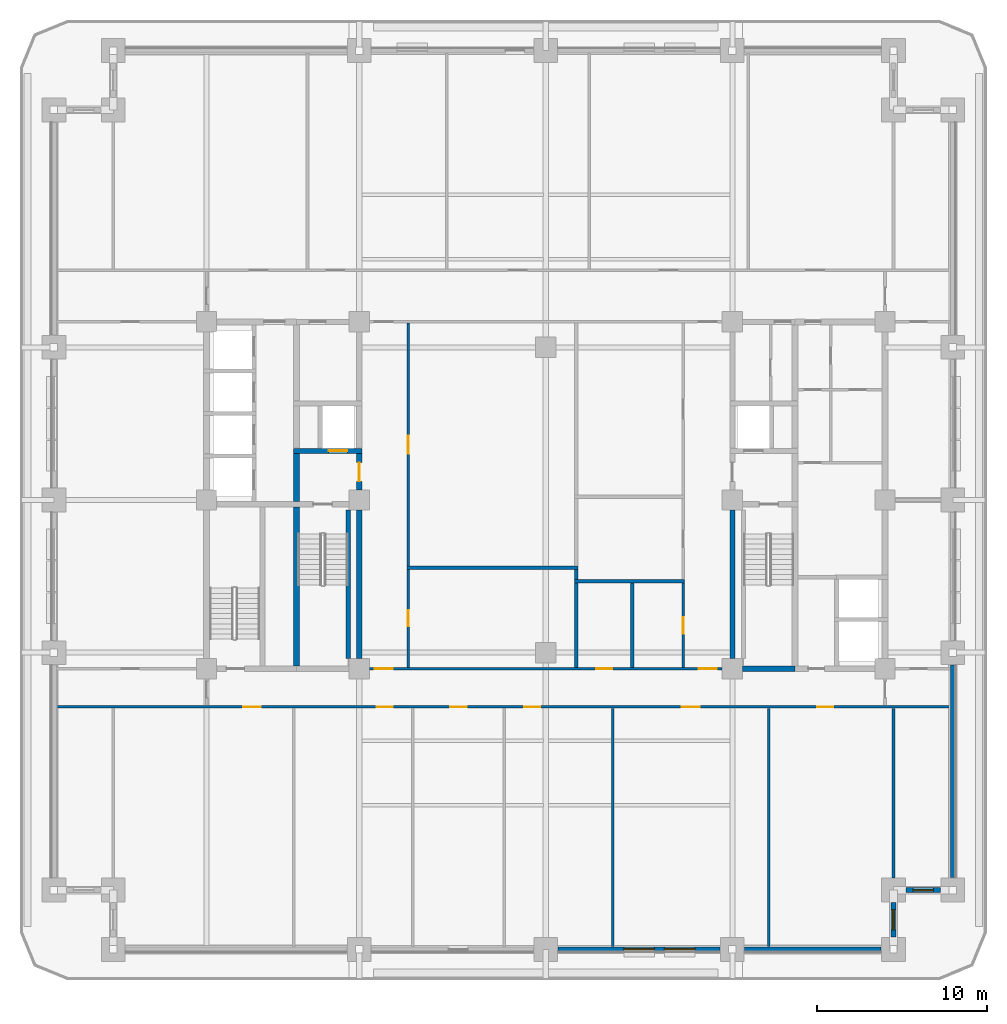
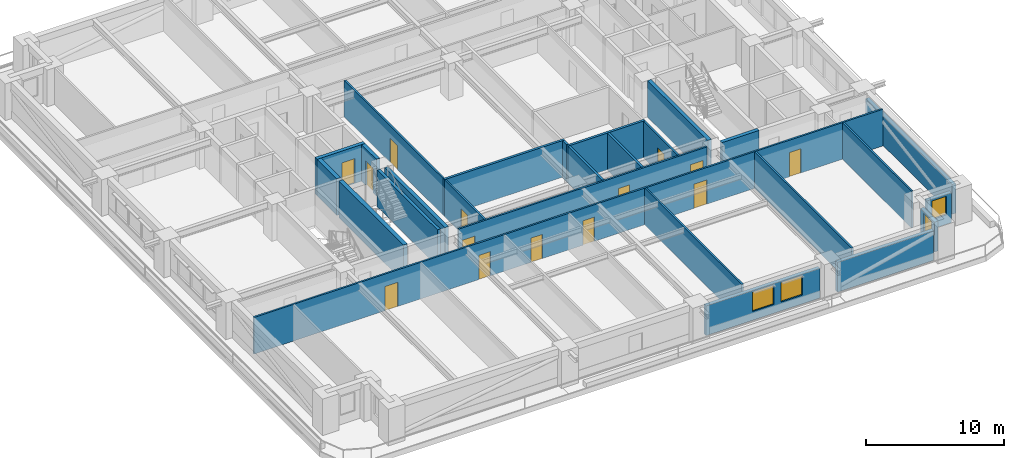
# One storey, part 3 of 16: 26 walls, 14 doors, 4 windows, 18 openings.
"""IFC4 building model written with IfcOpenShell, lengths in metres."""

from ifc_helpers import new_model, si_unit, direction, frame, frame_2d, origin, place, context, subcontext, project, spatial, rectangle, extrude, material, layer, layer_set, type_object, element, fill, save


model = new_model("IFC4")

# Units and contexts
model_context = context("Model", 3, precision=1e-05, world=origin(), true_north=direction((0.0, 1.0)))
body_context = subcontext(model_context, "Body", "Model", "MODEL_VIEW")
ifc_project = project(units=[si_unit("LENGTHUNIT", "METRE"), si_unit("AREAUNIT", "SQUARE_METRE"), si_unit("VOLUMEUNIT", "CUBIC_METRE"), si_unit("PLANEANGLEUNIT", "RADIAN"), si_unit("MASSUNIT", "GRAM", prefix="KILO")], contexts=[model_context])

# Site, building, storey
site_placement = place(None, origin())
site = spatial("IfcSite", under=ifc_project, at=site_placement, CompositionType="ELEMENT")
building_placement = place(site_placement, origin())
building = spatial("IfcBuilding", under=site, at=building_placement, Name="Zulmaris Gate Convention Tower", CompositionType="ELEMENT")
storey_placement = place(building_placement, frame((0.0, 0.0, 67.89990234375)))
storey = spatial("IfcBuildingStorey", under=building, at=storey_placement, Name="L16", CompositionType="ELEMENT", Elevation=67.89990234375)

# Walls
ifc_material_1 = material(Name="Concrete C50/60", Category="concrete")
ifc_layer_1 = layer(ifc_material_1, 0.25, Name="Concrete C50/60")
ifc_layer_set_1 = layer_set([ifc_layer_1], Name="Concrete C50/60")
wall_type_1 = type_object("IfcWallType", Name="CORE-250", PredefinedType="SOLIDWALL", material=ifc_layer_set_1)
wall_1_placement = place(storey_placement, frame((-11.64990234375, -9.345947265625, 0.0), z_axis=(0.0, 0.0, 1.0), x_axis=(0.0, 1.0, 0.0)))
element("IfcWall", 1, at=wall_1_placement, inside=storey, type_object=wall_type_1, Name="WL-L16-050", PredefinedType="SOLIDWALL", context=body_context, shape_type="SweptSolid", body=[
    extrude(rectangle(XDim=8.741943359375, YDim=0.25, at=frame_2d((4.37109375, 0.0))), origin(), (0.0, 0.0, 1.0), 3.2451171875),
])
ifc_layer_2 = layer(ifc_material_1, 0.300048828125, Name="Concrete C50/60")
ifc_layer_set_2 = layer_set([ifc_layer_2], Name="Concrete C50/60")
wall_type_2 = type_object("IfcWallType", Name="CORE-300", PredefinedType="SHEAR", material=ifc_layer_set_2)
wall_2_placement = place(storey_placement, frame((11.60400390625, -9.949951171875, 0.0), z_axis=(0.0, 0.0, 1.0), x_axis=(1.0, 0.0, 0.0)))
element("IfcWall", 2, at=wall_2_placement, inside=storey, type_object=wall_type_2, Name="WL-L16-003", PredefinedType="SHEAR", context=body_context, shape_type="SweptSolid", body=[
    extrude(rectangle(XDim=3.095947265625, YDim=0.300048828125, at=frame_2d((1.5478515625, 0.0))), origin(), (0.0, 0.0, 1.0), 3.2451171875),
])

# Wall, opening, door
wall_3_placement = place(storey_placement, frame((-14.875, 2.89990234375, 0.0), z_axis=(0.0, 0.0, 1.0), x_axis=(1.0, 0.0, 0.0)))
wall_3 = element("IfcWall", 3, at=wall_3_placement, inside=storey, type_object=wall_type_2, Name="WL-L16-010", PredefinedType="SHEAR", context=body_context, shape_type="SweptSolid", body=[
    extrude(rectangle(XDim=4.02490234375, YDim=0.300048828125, at=frame_2d((2.012451171875, 0.0))), origin(), (0.0, 0.0, 1.0), 3.2451171875),
])
opening_1_placement = place(wall_3_placement, frame((2.074951171875, 0.0, 0.0)))
opening_1 = element("IfcOpeningElement", 4, at=opening_1_placement, cuts=wall_3, Name="Opening D-06", PredefinedType="OPENING", context=body_context, shape_type="SweptSolid", body=[
    extrude(rectangle(XDim=1.10009765625, YDim=2.199951171875, at=frame_2d((0.550048828125, 1.10009765625))), frame((0.0, 0.16015625, 0.0), z_axis=(0.0, -1.0, 0.0), x_axis=(1.0, 0.0, 0.0)), (0.0, 0.0, 1.0), 0.320068359375),
])
ifc_material_2 = material(Name="Brushed Stainless Steel", Category="steel")
door_type_1 = type_object("IfcDoorType", Name="LD-1100", OperationType="NOTDEFINED", PredefinedType="DOOR", material=ifc_material_2)
door_1_placement = place(opening_1_placement, origin())
door_1 = element("IfcDoor", 5, at=door_1_placement, inside=storey, type_object=door_type_1, Name="L16 Lift Landing Door LF-01 03", OperationType="SLIDING_TO_LEFT", OverallHeight=2.199951171875, OverallWidth=1.10009765625, PredefinedType="DOOR", context=body_context, shape_type="SweptSolid", body=[
    extrude(rectangle(XDim=1.10009765625, YDim=2.199951171875, at=frame_2d((0.550048828125, 1.10009765625))), frame((0.0, 0.02490234375, 0.0), z_axis=(0.0, -1.0, 0.0), x_axis=(1.0, 0.0, 0.0)), (0.0, 0.0, 1.0), 0.050048828125),
])
fill(opening_1, door_1)

# Wall
wall_4_placement = place(storey_placement, frame((-11.0, -9.345947265625, 0.0), z_axis=(0.0, 0.0, 1.0), x_axis=(0.0, 1.0, 0.0)))
element("IfcWall", 6, at=wall_4_placement, inside=storey, type_object=wall_type_2, Name="WL-L16-051", PredefinedType="SHEAR", context=body_context, shape_type="SweptSolid", body=[
    extrude(rectangle(XDim=8.741943359375, YDim=0.300048828125, at=frame_2d((4.37109375, 0.0))), origin(), (0.0, 0.0, 1.0), 3.2451171875),
])

# Wall, opening, door
wall_5_placement = place(storey_placement, frame((-11.0, 0.60400390625, 0.0), z_axis=(0.0, 0.0, 1.0), x_axis=(0.0, 1.0, 0.0)))
wall_5 = element("IfcWall", 7, at=wall_5_placement, inside=storey, type_object=wall_type_2, Name="WL-L16-052", PredefinedType="SHEAR", context=body_context, shape_type="SweptSolid", body=[
    extrude(rectangle(XDim=2.14404296875, YDim=0.300048828125, at=frame_2d((1.072021484375, 0.0))), origin(), (0.0, 0.0, 1.0), 3.2451171875),
])
opening_2_placement = place(wall_5_placement, frame((0.49609375, 0.0, 0.0)))
opening_2 = element("IfcOpeningElement", 8, at=opening_2_placement, cuts=wall_5, Name="Opening D-08", PredefinedType="OPENING", context=body_context, shape_type="SweptSolid", body=[
    extrude(rectangle(XDim=1.10009765625, YDim=2.14990234375, at=frame_2d((0.550048828125, 1.074951171875))), frame((0.0, 0.16015625, 0.0), z_axis=(0.0, -1.0, 0.0), x_axis=(1.0, 0.0, 0.0)), (0.0, 0.0, 1.0), 0.320068359375),
])
ifc_material_3 = material(Name="Fire-Rated Steel", Category="steel")
door_type_2 = type_object("IfcDoorType", Name="DR-1100-FD", OperationType="NOTDEFINED", PredefinedType="DOOR", material=ifc_material_3)
door_2_placement = place(opening_2_placement, origin())
door_2 = element("IfcDoor", 9, at=door_2_placement, inside=storey, type_object=door_type_2, Name="L16 West Firefighting Lobby Door 02", OperationType="SINGLE_SWING_LEFT", OverallHeight=2.14990234375, OverallWidth=1.10009765625, PredefinedType="DOOR", context=body_context, shape_type="SweptSolid", body=[
    extrude(rectangle(XDim=1.10009765625, YDim=2.14990234375, at=frame_2d((0.550048828125, 1.074951171875))), frame((0.0, 0.02490234375, 0.0), z_axis=(0.0, -1.0, 0.0), x_axis=(1.0, 0.0, 0.0)), (0.0, 0.0, 1.0), 0.050048828125),
])
fill(opening_2, door_2)

# Walls
wall_6_placement = place(storey_placement, frame((11.0, -9.345947265625, 0.0), z_axis=(0.0, 0.0, 1.0), x_axis=(0.0, 1.0, 0.0)))
element("IfcWall", 10, at=wall_6_placement, inside=storey, type_object=wall_type_2, Name="WL-L16-055", PredefinedType="SHEAR", context=body_context, shape_type="SweptSolid", body=[
    extrude(rectangle(XDim=8.741943359375, YDim=0.300048828125, at=frame_2d((4.37109375, 0.0))), origin(), (0.0, 0.0, 1.0), 3.2451171875),
])
ifc_material_4 = material(Name="Concrete C55/67", Category="concrete")
ifc_layer_3 = layer(ifc_material_4, 0.35009765625, Name="Concrete C55/67")
ifc_layer_set_3 = layer_set([ifc_layer_3], Name="Concrete C55/67")
wall_type_3 = type_object("IfcWallType", Name="CORE-350", PredefinedType="SHEAR", material=ifc_layer_set_3)
wall_7_placement = place(storey_placement, frame((-14.699951171875, -9.77294921875, 0.0), z_axis=(0.0, 0.0, 1.0), x_axis=(0.0, 1.0, 0.0)))
element("IfcWall", 11, at=wall_7_placement, inside=storey, type_object=wall_type_3, Name="WL-L16-045", PredefinedType="SHEAR", context=body_context, shape_type="SweptSolid", body=[
    extrude(rectangle(XDim=9.370849609375, YDim=0.35009765625, at=frame_2d((4.685546875, 0.0))), origin(), (0.0, 0.0, 1.0), 3.2451171875),
])
wall_8_placement = place(storey_placement, frame((-14.699951171875, -0.097900390625, 0.0), z_axis=(0.0, 0.0, 1.0), x_axis=(0.0, 1.0, 0.0)))
element("IfcWall", 12, at=wall_8_placement, inside=storey, type_object=wall_type_3, Name="WL-L16-046", PredefinedType="SHEAR", context=body_context, shape_type="SweptSolid", body=[
    extrude(rectangle(XDim=2.845947265625, YDim=0.35009765625, at=frame_2d((1.4228515625, 0.0))), origin(), (0.0, 0.0, 1.0), 3.2451171875),
])

# Wall, openings, doors
ifc_material_5 = material(Name="Gypsum Metal Stud Partition")
ifc_layer_4 = layer(ifc_material_5, 0.14990234375, Name="Gypsum Metal Stud Partition")
ifc_layer_set_4 = layer_set([ifc_layer_4], Name="Gypsum Metal Stud Partition")
wall_type_4 = type_object("IfcWallType", Name="PART-150", PredefinedType="PARTITIONING", material=ifc_layer_set_4)
wall_9_placement = place(storey_placement, frame((-28.8349609375, -12.199951171875, 0.0), z_axis=(0.0, 0.0, 1.0), x_axis=(1.0, 0.0, 0.0)))
wall_9 = element("IfcWall", 13, at=wall_9_placement, inside=storey, type_object=wall_type_4, Name="WL-L16-020", PredefinedType="PARTITIONING", context=body_context, shape_type="SweptSolid", body=[
    extrude(rectangle(XDim=52.669921875, YDim=0.14990234375, at=frame_2d((26.3349609375, 0.0))), origin(), (0.0, 0.0, 1.0), 3.2451171875),
])
opening_3_placement = place(wall_9_placement, frame((10.989990234375, 0.0, 0.0)))
opening_3 = element("IfcOpeningElement", 14, at=opening_3_placement, cuts=wall_9, Name="Opening D-09", PredefinedType="OPENING", context=body_context, shape_type="SweptSolid", body=[
    extrude(rectangle(XDim=1.050048828125, YDim=2.14990234375, at=frame_2d((0.52490234375, 1.074951171875))), frame((0.0, 0.0849609375, 0.0), z_axis=(0.0, -1.0, 0.0), x_axis=(1.0, 0.0, 0.0)), (0.0, 0.0, 1.0), 0.169921875),
])
opening_4_placement = place(wall_9_placement, frame((18.860107421875, 0.0, 0.0)))
opening_4 = element("IfcOpeningElement", 15, at=opening_4_placement, cuts=wall_9, Name="Opening D-11", PredefinedType="OPENING", context=body_context, shape_type="SweptSolid", body=[
    extrude(rectangle(XDim=0.949951171875, YDim=2.14990234375, at=frame_2d((0.47509765625, 1.074951171875))), frame((0.0, 0.0849609375, 0.0), z_axis=(0.0, -1.0, 0.0), x_axis=(1.0, 0.0, 0.0)), (0.0, 0.0, 1.0), 0.169921875),
])
opening_5_placement = place(wall_9_placement, frame((23.2099609375, 0.0, 0.0)))
opening_5 = element("IfcOpeningElement", 16, at=opening_5_placement, cuts=wall_9, Name="Opening D-11", PredefinedType="OPENING", context=body_context, shape_type="SweptSolid", body=[
    extrude(rectangle(XDim=0.949951171875, YDim=2.14990234375, at=frame_2d((0.47509765625, 1.074951171875))), frame((0.0, 0.0849609375, 0.0), z_axis=(0.0, -1.0, 0.0), x_axis=(1.0, 0.0, 0.0)), (0.0, 0.0, 1.0), 0.169921875),
])
opening_6_placement = place(wall_9_placement, frame((27.56005859375, 0.0, 0.0)))
opening_6 = element("IfcOpeningElement", 17, at=opening_6_placement, cuts=wall_9, Name="Opening D-11", PredefinedType="OPENING", context=body_context, shape_type="SweptSolid", body=[
    extrude(rectangle(XDim=0.949951171875, YDim=2.14990234375, at=frame_2d((0.47509765625, 1.074951171875))), frame((0.0, 0.0849609375, 0.0), z_axis=(0.0, -1.0, 0.0), x_axis=(1.0, 0.0, 0.0)), (0.0, 0.0, 1.0), 0.169921875),
])
opening_7_placement = place(wall_9_placement, frame((36.860107421875, 0.0, 0.0)))
opening_7 = element("IfcOpeningElement", 18, at=opening_7_placement, cuts=wall_9, Name="Opening D-09", PredefinedType="OPENING", context=body_context, shape_type="SweptSolid", body=[
    extrude(rectangle(XDim=1.050048828125, YDim=2.14990234375, at=frame_2d((0.52490234375, 1.074951171875))), frame((0.0, 0.0849609375, 0.0), z_axis=(0.0, -1.0, 0.0), x_axis=(1.0, 0.0, 0.0)), (0.0, 0.0, 1.0), 0.169921875),
])
opening_8_placement = place(wall_9_placement, frame((44.840087890625, 0.0, 0.0)))
opening_8 = element("IfcOpeningElement", 19, at=opening_8_placement, cuts=wall_9, Name="Opening D-11", PredefinedType="OPENING", context=body_context, shape_type="SweptSolid", body=[
    extrude(rectangle(XDim=0.949951171875, YDim=2.14990234375, at=frame_2d((0.47509765625, 1.074951171875))), frame((0.0, 0.0849609375, 0.0), z_axis=(0.0, -1.0, 0.0), x_axis=(1.0, 0.0, 0.0)), (0.0, 0.0, 1.0), 0.169921875),
])
door_type_3 = type_object("IfcDoorType", Name="DR-1050-FD", OperationType="NOTDEFINED", PredefinedType="DOOR", material=ifc_material_3)
door_3_placement = place(opening_3_placement, origin())
door_3 = element("IfcDoor", 20, at=door_3_placement, inside=storey, type_object=door_type_3, Name="L16 Research Reading Room Door 31", OperationType="SINGLE_SWING_RIGHT", OverallHeight=2.14990234375, OverallWidth=1.050048828125, PredefinedType="DOOR", context=body_context, shape_type="SweptSolid", body=[
    extrude(rectangle(XDim=1.050048828125, YDim=2.14990234375, at=frame_2d((0.52490234375, 1.074951171875))), frame((0.0, 0.02490234375, 0.0), z_axis=(0.0, -1.0, 0.0), x_axis=(1.0, 0.0, 0.0)), (0.0, 0.0, 1.0), 0.050048828125),
])
fill(opening_3, door_3)
door_4_placement = place(opening_7_placement, origin())
door_4 = element("IfcDoor", 21, at=door_4_placement, inside=storey, type_object=door_type_3, Name="L16 Research Reading Room Door 35", OperationType="SINGLE_SWING_RIGHT", OverallHeight=2.14990234375, OverallWidth=1.050048828125, PredefinedType="DOOR", context=body_context, shape_type="SweptSolid", body=[
    extrude(rectangle(XDim=1.050048828125, YDim=2.14990234375, at=frame_2d((0.52490234375, 1.074951171875))), frame((0.0, 0.02490234375, 0.0), z_axis=(0.0, -1.0, 0.0), x_axis=(1.0, 0.0, 0.0)), (0.0, 0.0, 1.0), 0.050048828125),
])
fill(opening_7, door_4)
ifc_material_6 = material(Name="Fire-Rated Timber", Category="wood")
door_type_4 = type_object("IfcDoorType", Name="DR-950-FD", OperationType="NOTDEFINED", PredefinedType="DOOR", material=ifc_material_6)
door_5_placement = place(opening_4_placement, origin())
door_5 = element("IfcDoor", 22, at=door_5_placement, inside=storey, type_object=door_type_4, Name="L16 Quiet Focus Study Door 32", OperationType="SINGLE_SWING_LEFT", OverallHeight=2.14990234375, OverallWidth=0.949951171875, PredefinedType="DOOR", context=body_context, shape_type="SweptSolid", body=[
    extrude(rectangle(XDim=0.949951171875, YDim=2.14990234375, at=frame_2d((0.47509765625, 1.074951171875))), frame((0.0, 0.02490234375, 0.0), z_axis=(0.0, -1.0, 0.0), x_axis=(1.0, 0.0, 0.0)), (0.0, 0.0, 1.0), 0.050048828125),
])
fill(opening_4, door_5)
door_6_placement = place(opening_5_placement, origin())
door_6 = element("IfcDoor", 23, at=door_6_placement, inside=storey, type_object=door_type_4, Name="L16 Legal Library Room Door 33", OperationType="SINGLE_SWING_RIGHT", OverallHeight=2.14990234375, OverallWidth=0.949951171875, PredefinedType="DOOR", context=body_context, shape_type="SweptSolid", body=[
    extrude(rectangle(XDim=0.949951171875, YDim=2.14990234375, at=frame_2d((0.47509765625, 1.074951171875))), frame((0.0, 0.02490234375, 0.0), z_axis=(0.0, -1.0, 0.0), x_axis=(1.0, 0.0, 0.0)), (0.0, 0.0, 1.0), 0.050048828125),
])
fill(opening_5, door_6)
door_7_placement = place(opening_6_placement, origin())
door_7 = element("IfcDoor", 24, at=door_7_placement, inside=storey, type_object=door_type_4, Name="L16 Editorial Focus Suite Door 34", OperationType="SINGLE_SWING_LEFT", OverallHeight=2.14990234375, OverallWidth=0.949951171875, PredefinedType="DOOR", context=body_context, shape_type="SweptSolid", body=[
    extrude(rectangle(XDim=0.949951171875, YDim=2.14990234375, at=frame_2d((0.47509765625, 1.074951171875))), frame((0.0, 0.02490234375, 0.0), z_axis=(0.0, -1.0, 0.0), x_axis=(1.0, 0.0, 0.0)), (0.0, 0.0, 1.0), 0.050048828125),
])
fill(opening_6, door_7)
door_8_placement = place(opening_8_placement, origin())
door_8 = element("IfcDoor", 25, at=door_8_placement, inside=storey, type_object=door_type_4, Name="L16 Quiet Focus Study Door 36", OperationType="SINGLE_SWING_LEFT", OverallHeight=2.14990234375, OverallWidth=0.949951171875, PredefinedType="DOOR", context=body_context, shape_type="SweptSolid", body=[
    extrude(rectangle(XDim=0.949951171875, YDim=2.14990234375, at=frame_2d((0.47509765625, 1.074951171875))), frame((0.0, 0.02490234375, 0.0), z_axis=(0.0, -1.0, 0.0), x_axis=(1.0, 0.0, 0.0)), (0.0, 0.0, 1.0), 0.050048828125),
])
fill(opening_8, door_8)

wall_10_placement = place(storey_placement, frame((-10.39404296875, -9.949951171875, 0.0), z_axis=(0.0, 0.0, 1.0), x_axis=(1.0, 0.0, 0.0)))
wall_10 = element("IfcWall", 26, at=wall_10_placement, inside=storey, type_object=wall_type_4, Name="WL-L16-022", PredefinedType="PARTITIONING", context=body_context, shape_type="SweptSolid", body=[
    extrude(rectangle(XDim=20.7880859375, YDim=0.14990234375, at=frame_2d((10.39404296875, 0.0))), origin(), (0.0, 0.0, 1.0), 3.2451171875),
])
opening_9_placement = place(wall_10_placement, frame((0.319091796875, 0.0, 0.0)))
opening_9 = element("IfcOpeningElement", 27, at=opening_9_placement, cuts=wall_10, Name="Opening D-09", PredefinedType="OPENING", context=body_context, shape_type="SweptSolid", body=[
    extrude(rectangle(XDim=1.050048828125, YDim=2.14990234375, at=frame_2d((0.52490234375, 1.074951171875))), frame((0.0, 0.0849609375, 0.0), z_axis=(0.0, -1.0, 0.0), x_axis=(1.0, 0.0, 0.0)), (0.0, 0.0, 1.0), 0.169921875),
])
opening_10_placement = place(wall_10_placement, frame((19.4189453125, 0.0, 0.0)))
opening_10 = element("IfcOpeningElement", 28, at=opening_10_placement, cuts=wall_10, Name="Opening D-09", PredefinedType="OPENING", context=body_context, shape_type="SweptSolid", body=[
    extrude(rectangle(XDim=1.050048828125, YDim=2.14990234375, at=frame_2d((0.52490234375, 1.074951171875))), frame((0.0, 0.0849609375, 0.0), z_axis=(0.0, -1.0, 0.0), x_axis=(1.0, 0.0, 0.0)), (0.0, 0.0, 1.0), 0.169921875),
])
opening_11_placement = place(wall_10_placement, frame((13.368896484375, 0.0, 0.0)))
opening_11 = element("IfcOpeningElement", 29, at=opening_11_placement, cuts=wall_10, Name="Opening D-11", PredefinedType="OPENING", context=body_context, shape_type="SweptSolid", body=[
    extrude(rectangle(XDim=0.949951171875, YDim=2.14990234375, at=frame_2d((0.47509765625, 1.074951171875))), frame((0.0, 0.0849609375, 0.0), z_axis=(0.0, -1.0, 0.0), x_axis=(1.0, 0.0, 0.0)), (0.0, 0.0, 1.0), 0.169921875),
])
door_9_placement = place(opening_9_placement, origin())
door_9 = element("IfcDoor", 30, at=door_9_placement, inside=storey, type_object=door_type_3, Name="L16 SW Spine Link Door 23", OperationType="SINGLE_SWING_RIGHT", OverallHeight=2.14990234375, OverallWidth=1.050048828125, PredefinedType="DOOR", context=body_context, shape_type="SweptSolid", body=[
    extrude(rectangle(XDim=1.050048828125, YDim=2.14990234375, at=frame_2d((0.52490234375, 1.074951171875))), frame((0.0, 0.02490234375, 0.0), z_axis=(0.0, -1.0, 0.0), x_axis=(1.0, 0.0, 0.0)), (0.0, 0.0, 1.0), 0.050048828125),
])
fill(opening_9, door_9)
door_10_placement = place(opening_10_placement, origin())
door_10 = element("IfcDoor", 31, at=door_10_placement, inside=storey, type_object=door_type_3, Name="L16 SE Spine Link Door 25", OperationType="SINGLE_SWING_RIGHT", OverallHeight=2.14990234375, OverallWidth=1.050048828125, PredefinedType="DOOR", context=body_context, shape_type="SweptSolid", body=[
    extrude(rectangle(XDim=1.050048828125, YDim=2.14990234375, at=frame_2d((0.52490234375, 1.074951171875))), frame((0.0, 0.02490234375, 0.0), z_axis=(0.0, -1.0, 0.0), x_axis=(1.0, 0.0, 0.0)), (0.0, 0.0, 1.0), 0.050048828125),
])
fill(opening_10, door_10)
door_11_placement = place(opening_11_placement, origin())
door_11 = element("IfcDoor", 32, at=door_11_placement, inside=storey, type_object=door_type_4, Name="L16 Print Room Door 42", OperationType="SINGLE_SWING_LEFT", OverallHeight=2.14990234375, OverallWidth=0.949951171875, PredefinedType="DOOR", context=body_context, shape_type="SweptSolid", body=[
    extrude(rectangle(XDim=0.949951171875, YDim=2.14990234375, at=frame_2d((0.47509765625, 1.074951171875))), frame((0.0, 0.02490234375, 0.0), z_axis=(0.0, -1.0, 0.0), x_axis=(1.0, 0.0, 0.0)), (0.0, 0.0, 1.0), 0.050048828125),
])
fill(opening_11, door_11)

# Wall, opening, door
wall_11_placement = place(storey_placement, frame((-8.10009765625, -9.8720703125, 0.0), z_axis=(0.0, 0.0, 1.0), x_axis=(0.0, 1.0, 0.0)))
wall_11 = element("IfcWall", 33, at=wall_11_placement, inside=storey, type_object=wall_type_4, Name="WL-L16-076", PredefinedType="PARTITIONING", context=body_context, shape_type="SweptSolid", body=[
    extrude(rectangle(XDim=5.76904296875, YDim=0.14990234375, at=frame_2d((2.884521484375, 0.0))), origin(), (0.0, 0.0, 1.0), 3.2451171875),
])
opening_12_placement = place(wall_11_placement, frame((2.427001953125, 0.0, 0.0)))
opening_12 = element("IfcOpeningElement", 34, at=opening_12_placement, cuts=wall_11, Name="Opening D-11", PredefinedType="OPENING", context=body_context, shape_type="SweptSolid", body=[
    extrude(rectangle(XDim=0.949951171875, YDim=2.14990234375, at=frame_2d((0.47509765625, 1.074951171875))), frame((0.0, 0.0849609375, 0.0), z_axis=(0.0, -1.0, 0.0), x_axis=(1.0, 0.0, 0.0)), (0.0, 0.0, 1.0), 0.169921875),
])
door_12_placement = place(opening_12_placement, origin())
door_12 = element("IfcDoor", 35, at=door_12_placement, inside=storey, type_object=door_type_4, Name="L16 Wellness Pantry Door 38", OperationType="SINGLE_SWING_LEFT", OverallHeight=2.14990234375, OverallWidth=0.949951171875, PredefinedType="DOOR", context=body_context, shape_type="SweptSolid", body=[
    extrude(rectangle(XDim=0.949951171875, YDim=2.14990234375, at=frame_2d((0.47509765625, 1.074951171875))), frame((0.0, 0.02490234375, 0.0), z_axis=(0.0, -1.0, 0.0), x_axis=(1.0, 0.0, 0.0)), (0.0, 0.0, 1.0), 0.050048828125),
])
fill(opening_12, door_12)

wall_12_placement = place(storey_placement, frame((-8.10009765625, -3.89697265625, 0.0), z_axis=(0.0, 0.0, 1.0), x_axis=(0.0, 1.0, 0.0)))
wall_12 = element("IfcWall", 36, at=wall_12_placement, inside=storey, type_object=wall_type_4, Name="WL-L16-077", PredefinedType="PARTITIONING", context=body_context, shape_type="SweptSolid", body=[
    extrude(rectangle(XDim=14.319091796875, YDim=0.14990234375, at=frame_2d((7.15966796875, 0.0))), origin(), (0.0, 0.0, 1.0), 3.2451171875),
])
opening_13_placement = place(wall_12_placement, frame((6.6220703125, 0.0, 0.0)))
opening_13 = element("IfcOpeningElement", 37, at=opening_13_placement, cuts=wall_12, Name="Opening D-09", PredefinedType="OPENING", context=body_context, shape_type="SweptSolid", body=[
    extrude(rectangle(XDim=1.050048828125, YDim=2.14990234375, at=frame_2d((0.52490234375, 1.074951171875))), frame((0.0, 0.0849609375, 0.0), z_axis=(0.0, -1.0, 0.0), x_axis=(1.0, 0.0, 0.0)), (0.0, 0.0, 1.0), 0.169921875),
])
door_13_placement = place(opening_13_placement, origin())
door_13 = element("IfcDoor", 38, at=door_13_placement, inside=storey, type_object=door_type_3, Name="L16 Boardroom Door 37", OperationType="SINGLE_SWING_RIGHT", OverallHeight=2.14990234375, OverallWidth=1.050048828125, PredefinedType="DOOR", context=body_context, shape_type="SweptSolid", body=[
    extrude(rectangle(XDim=1.050048828125, YDim=2.14990234375, at=frame_2d((0.52490234375, 1.074951171875))), frame((0.0, 0.02490234375, 0.0), z_axis=(0.0, -1.0, 0.0), x_axis=(1.0, 0.0, 0.0)), (0.0, 0.0, 1.0), 0.050048828125),
])
fill(opening_13, door_13)

# Wall
wall_13_placement = place(storey_placement, frame((3.949951171875, -26.3349609375, 0.0), z_axis=(0.0, 0.0, 1.0), x_axis=(0.0, 1.0, 0.0)))
element("IfcWall", 39, at=wall_13_placement, inside=storey, type_object=wall_type_4, Name="WL-L16-086", PredefinedType="PARTITIONING", context=body_context, shape_type="SweptSolid", body=[
    extrude(rectangle(XDim=14.056884765625, YDim=0.14990234375, at=frame_2d((7.0283203125, 0.0))), origin(), (0.0, 0.0, 1.0), 3.2451171875),
])

# Wall, opening, door
wall_14_placement = place(storey_placement, frame((8.10009765625, -9.8720703125, 0.0), z_axis=(0.0, 0.0, 1.0), x_axis=(0.0, 1.0, 0.0)))
wall_14 = element("IfcWall", 40, at=wall_14_placement, inside=storey, type_object=wall_type_4, Name="WL-L16-088", PredefinedType="PARTITIONING", context=body_context, shape_type="SweptSolid", body=[
    extrude(rectangle(XDim=4.968994140625, YDim=0.14990234375, at=frame_2d((2.484375, 0.0))), origin(), (0.0, 0.0, 1.0), 3.2451171875),
])
opening_14_placement = place(wall_14_placement, frame((1.9970703125, 0.0, 0.0)))
opening_14 = element("IfcOpeningElement", 41, at=opening_14_placement, cuts=wall_14, Name="Opening D-11", PredefinedType="OPENING", context=body_context, shape_type="SweptSolid", body=[
    extrude(rectangle(XDim=0.949951171875, YDim=2.14990234375, at=frame_2d((0.47509765625, 1.074951171875))), frame((0.0, 0.0849609375, 0.0), z_axis=(0.0, -1.0, 0.0), x_axis=(1.0, 0.0, 0.0)), (0.0, 0.0, 1.0), 0.169921875),
])
door_14_placement = place(opening_14_placement, origin())
door_14 = element("IfcDoor", 42, at=door_14_placement, inside=storey, type_object=door_type_4, Name="L16 Accessible WC Door 41", OperationType="SINGLE_SWING_RIGHT", OverallHeight=2.14990234375, OverallWidth=0.949951171875, PredefinedType="DOOR", context=body_context, shape_type="SweptSolid", body=[
    extrude(rectangle(XDim=0.949951171875, YDim=2.14990234375, at=frame_2d((0.47509765625, 1.074951171875))), frame((0.0, 0.02490234375, 0.0), z_axis=(0.0, -1.0, 0.0), x_axis=(1.0, 0.0, 0.0)), (0.0, 0.0, 1.0), 0.050048828125),
])
fill(opening_14, door_14)

# Walls
wall_15_placement = place(storey_placement, frame((13.14990234375, -26.3349609375, 0.0), z_axis=(0.0, 0.0, 1.0), x_axis=(0.0, 1.0, 0.0)))
element("IfcWall", 43, at=wall_15_placement, inside=storey, type_object=wall_type_4, Name="WL-L16-092", PredefinedType="PARTITIONING", context=body_context, shape_type="SweptSolid", body=[
    extrude(rectangle(XDim=14.056884765625, YDim=0.14990234375, at=frame_2d((7.0283203125, 0.0))), origin(), (0.0, 0.0, 1.0), 3.2451171875),
])
wall_16_placement = place(storey_placement, frame((20.5, -22.2939453125, 0.0), z_axis=(0.0, 0.0, 1.0), x_axis=(0.0, 1.0, 0.0)))
element("IfcWall", 44, at=wall_16_placement, inside=storey, type_object=wall_type_4, Name="WL-L16-098", PredefinedType="PARTITIONING", context=body_context, shape_type="SweptSolid", body=[
    extrude(rectangle(XDim=10.015869140625, YDim=0.14990234375, at=frame_2d((5.0078125, 0.0))), origin(), (0.0, 0.0, 1.0), 3.2451171875),
])
ifc_material_7 = material(Name="Autoclaved Aerated Concrete Block and Plasterboard", Category="concrete")
ifc_layer_5 = layer(ifc_material_7, 0.199951171875, Name="Autoclaved Aerated Concrete Block and Plasterboard")
ifc_layer_set_5 = layer_set([ifc_layer_5], Name="Autoclaved Aerated Concrete Block and Plasterboard")
wall_type_5 = type_object("IfcWallType", Name="PART-200", PredefinedType="PARTITIONING", material=ifc_layer_set_5)
wall_17_placement = place(storey_placement, frame((1.699951171875, -4.800048828125, 0.0), z_axis=(0.0, 0.0, 1.0), x_axis=(1.0, 0.0, 0.0)))
element("IfcWall", 45, at=wall_17_placement, inside=storey, type_object=wall_type_5, Name="WL-L16-024", PredefinedType="PARTITIONING", context=body_context, shape_type="SweptSolid", body=[
    extrude(rectangle(XDim=6.47509765625, YDim=0.199951171875, at=frame_2d((3.237548828125, 0.0))), origin(), (0.0, 0.0, 1.0), 3.2451171875),
])
wall_18_placement = place(storey_placement, frame((-8.175048828125, -4.0, 0.0), z_axis=(0.0, 0.0, 1.0), x_axis=(1.0, 0.0, 0.0)))
element("IfcWall", 46, at=wall_18_placement, inside=storey, type_object=wall_type_5, Name="WL-L16-026", PredefinedType="PARTITIONING", context=body_context, shape_type="SweptSolid", body=[
    extrude(rectangle(XDim=10.074951171875, YDim=0.199951171875, at=frame_2d((5.03759765625, 0.0))), origin(), (0.0, 0.0, 1.0), 3.2451171875),
])
wall_19_placement = place(storey_placement, frame((1.800048828125, -9.8720703125, 0.0), z_axis=(0.0, 0.0, 1.0), x_axis=(0.0, 1.0, 0.0)))
element("IfcWall", 47, at=wall_19_placement, inside=storey, type_object=wall_type_5, Name="WL-L16-081", PredefinedType="PARTITIONING", context=body_context, shape_type="SweptSolid", body=[
    extrude(rectangle(XDim=4.968994140625, YDim=0.199951171875, at=frame_2d((2.484375, 0.0))), origin(), (0.0, 0.0, 1.0), 3.2451171875),
])
wall_20_placement = place(storey_placement, frame((1.800048828125, -4.697021484375, 0.0), z_axis=(0.0, 0.0, 1.0), x_axis=(0.0, 1.0, 0.0)))
element("IfcWall", 48, at=wall_20_placement, inside=storey, type_object=wall_type_5, Name="WL-L16-082", PredefinedType="PARTITIONING", context=body_context, shape_type="SweptSolid", body=[
    extrude(rectangle(XDim=0.593994140625, YDim=0.199951171875, at=frame_2d((0.296875, 0.0))), origin(), (0.0, 0.0, 1.0), 3.2451171875),
])
wall_21_placement = place(storey_placement, frame((5.10009765625, -9.8720703125, 0.0), z_axis=(0.0, 0.0, 1.0), x_axis=(0.0, 1.0, 0.0)))
element("IfcWall", 49, at=wall_21_placement, inside=storey, type_object=wall_type_5, Name="WL-L16-087", PredefinedType="PARTITIONING", context=body_context, shape_type="SweptSolid", body=[
    extrude(rectangle(XDim=4.968994140625, YDim=0.199951171875, at=frame_2d((2.484375, 0.0))), origin(), (0.0, 0.0, 1.0), 3.2451171875),
])

# Wall, opening, window
ifc_material_8 = material(Name="Precast concrete C40/50", Category="concrete")
ifc_layer_6 = layer(ifc_material_8, 0.300048828125, Name="Precast concrete C40/50")
ifc_layer_set_6 = layer_set([ifc_layer_6], Name="Precast concrete C40/50")
wall_type_6 = type_object("IfcWallType", Name="PRECAST-PIER-300", PredefinedType="STANDARD", material=ifc_layer_set_6)
wall_22_placement = place(storey_placement, frame((20.5, -25.77001953125, 0.0), z_axis=(0.0, 0.0, 1.0), x_axis=(0.0, 1.0, 0.0)))
wall_22 = element("IfcWall", 50, at=wall_22_placement, inside=storey, type_object=wall_type_6, Name="EW-L16-NOTCH-SE1_0", PredefinedType="STANDARD", context=body_context, shape_type="SweptSolid", body=[
    extrude(rectangle(XDim=2.0400390625, YDim=0.300048828125, at=frame_2d((1.02001953125, 0.0))), origin(), (0.0, 0.0, 1.0), 2.63720703125),
])
opening_15_placement = place(wall_22_placement, frame((0.419921875, 0.0, 0.820068359375)))
opening_15 = element("IfcOpeningElement", 51, at=opening_15_placement, cuts=wall_22, Name="Opening W-04", PredefinedType="OPENING", context=body_context, shape_type="SweptSolid", body=[
    extrude(rectangle(XDim=1.199951171875, YDim=1.64990234375, at=frame_2d((0.60009765625, 0.824951171875))), frame((0.0, 0.16015625, 0.0), z_axis=(0.0, -1.0, 0.0), x_axis=(1.0, 0.0, 0.0)), (0.0, 0.0, 1.0), 0.320068359375),
])
ifc_material_9 = material(Name="Low-E Laminated Double Glazing in Aluminium Frame", Category="aluminium")
window_type_1 = type_object("IfcWindowType", Name="WIN-1200x2100", PartitioningType="SINGLE_PANEL", PredefinedType="WINDOW", material=ifc_material_9)
window_1_placement = place(opening_15_placement, origin())
window_1 = element("IfcWindow", 52, at=window_1_placement, inside=storey, type_object=window_type_1, Name="WN-EW-L16-NOTCH-SE1_0", OverallHeight=1.64990234375, OverallWidth=1.199951171875, PartitioningType="SINGLE_PANEL", PredefinedType="WINDOW", context=body_context, shape_type="SweptSolid", body=[
    extrude(rectangle(XDim=1.199951171875, YDim=1.64990234375, at=frame_2d((0.60009765625, 0.824951171875))), frame((0.0, 0.030029296875, 0.0), z_axis=(0.0, -1.0, 0.0), x_axis=(1.0, 0.0, 0.0)), (0.0, 0.0, 1.0), 0.06005859375),
])
fill(opening_15, window_1)

wall_23_placement = place(storey_placement, frame((21.22998046875, -23.0, 0.0), z_axis=(0.0, 0.0, 1.0), x_axis=(1.0, 0.0, 0.0)))
wall_23 = element("IfcWall", 53, at=wall_23_placement, inside=storey, type_object=wall_type_6, Name="EW-L16-NOTCH-SE2_0", PredefinedType="STANDARD", context=body_context, shape_type="SweptSolid", body=[
    extrude(rectangle(XDim=2.0400390625, YDim=0.300048828125, at=frame_2d((1.02001953125, 0.0))), origin(), (0.0, 0.0, 1.0), 2.63720703125),
])
opening_16_placement = place(wall_23_placement, frame((0.419921875, 0.0, 0.820068359375)))
opening_16 = element("IfcOpeningElement", 54, at=opening_16_placement, cuts=wall_23, Name="Opening W-04", PredefinedType="OPENING", context=body_context, shape_type="SweptSolid", body=[
    extrude(rectangle(XDim=1.199951171875, YDim=1.64990234375, at=frame_2d((0.60009765625, 0.824951171875))), frame((0.0, 0.16015625, 0.0), z_axis=(0.0, -1.0, 0.0), x_axis=(1.0, 0.0, 0.0)), (0.0, 0.0, 1.0), 0.320068359375),
])
window_2_placement = place(opening_16_placement, origin())
window_2 = element("IfcWindow", 55, at=window_2_placement, inside=storey, type_object=window_type_1, Name="WN-EW-L16-NOTCH-SE2_0", OverallHeight=1.64990234375, OverallWidth=1.199951171875, PartitioningType="SINGLE_PANEL", PredefinedType="WINDOW", context=body_context, shape_type="SweptSolid", body=[
    extrude(rectangle(XDim=1.199951171875, YDim=1.64990234375, at=frame_2d((0.60009765625, 0.824951171875))), frame((0.0, 0.030029296875, 0.0), z_axis=(0.0, -1.0, 0.0), x_axis=(1.0, 0.0, 0.0)), (0.0, 0.0, 1.0), 0.06005859375),
])
fill(opening_16, window_2)

# Wall, openings, windows
wall_24_placement = place(storey_placement, frame((0.72998046875, -26.5, 0.0), z_axis=(0.0, 0.0, 1.0), x_axis=(1.0, 0.0, 0.0)))
wall_24 = element("IfcWall", 56, at=wall_24_placement, inside=storey, type_object=wall_type_6, Name="EW-L16-S-2_0", PredefinedType="STANDARD", context=body_context, shape_type="SweptSolid", body=[
    extrude(rectangle(XDim=9.5400390625, YDim=0.300048828125, at=frame_2d((4.77001953125, 0.0))), origin(), (0.0, 0.0, 1.0), 2.63720703125),
])
opening_17_placement = place(wall_24_placement, frame((3.8701171875, 0.0, 0.780029296875)))
opening_17 = element("IfcOpeningElement", 57, at=opening_17_placement, cuts=wall_24, Name="Opening W-02", PredefinedType="OPENING", context=body_context, shape_type="SweptSolid", body=[
    extrude(rectangle(XDim=1.800048828125, YDim=1.719970703125, at=frame_2d((0.89990234375, 0.85986328125))), frame((0.0, 0.16015625, 0.0), z_axis=(0.0, -1.0, 0.0), x_axis=(1.0, 0.0, 0.0)), (0.0, 0.0, 1.0), 0.320068359375),
])
opening_18_placement = place(wall_24_placement, frame((6.2548828125, 0.0, 0.780029296875)))
opening_18 = element("IfcOpeningElement", 58, at=opening_18_placement, cuts=wall_24, Name="Opening W-02", PredefinedType="OPENING", context=body_context, shape_type="SweptSolid", body=[
    extrude(rectangle(XDim=1.800048828125, YDim=1.719970703125, at=frame_2d((0.89990234375, 0.85986328125))), frame((0.0, 0.16015625, 0.0), z_axis=(0.0, -1.0, 0.0), x_axis=(1.0, 0.0, 0.0)), (0.0, 0.0, 1.0), 0.320068359375),
])
window_type_2 = type_object("IfcWindowType", Name="WIN-1800x2200", PartitioningType="SINGLE_PANEL", PredefinedType="WINDOW", material=ifc_material_9)
window_3_placement = place(opening_17_placement, origin())
window_3 = element("IfcWindow", 59, at=window_3_placement, inside=storey, type_object=window_type_2, Name="WN-EW-L16-S-2_0-2", OverallHeight=1.719970703125, OverallWidth=1.800048828125, PartitioningType="SINGLE_PANEL", PredefinedType="WINDOW", context=body_context, shape_type="SweptSolid", body=[
    extrude(rectangle(XDim=1.800048828125, YDim=1.719970703125, at=frame_2d((0.89990234375, 0.85986328125))), frame((0.0, 0.030029296875, 0.0), z_axis=(0.0, -1.0, 0.0), x_axis=(1.0, 0.0, 0.0)), (0.0, 0.0, 1.0), 0.06005859375),
])
fill(opening_17, window_3)
window_4_placement = place(opening_18_placement, origin())
window_4 = element("IfcWindow", 60, at=window_4_placement, inside=storey, type_object=window_type_2, Name="WN-EW-L16-S-2_0-3", OverallHeight=1.719970703125, OverallWidth=1.800048828125, PartitioningType="SINGLE_PANEL", PredefinedType="WINDOW", context=body_context, shape_type="SweptSolid", body=[
    extrude(rectangle(XDim=1.800048828125, YDim=1.719970703125, at=frame_2d((0.89990234375, 0.85986328125))), frame((0.0, 0.030029296875, 0.0), z_axis=(0.0, -1.0, 0.0), x_axis=(1.0, 0.0, 0.0)), (0.0, 0.0, 1.0), 0.06005859375),
])
fill(opening_18, window_4)

# Walls
wall_25_placement = place(storey_placement, frame((11.72998046875, -26.5, 0.0), z_axis=(0.0, 0.0, 1.0), x_axis=(1.0, 0.0, 0.0)))
element("IfcWall", 61, at=wall_25_placement, inside=storey, type_object=wall_type_6, Name="EW-L16-S-3_0", PredefinedType="STANDARD", context=body_context, shape_type="SweptSolid", body=[
    extrude(rectangle(XDim=8.0400390625, YDim=0.300048828125, at=frame_2d((4.02001953125, 0.0))), origin(), (0.0, 0.0, 1.0), 2.63720703125),
])
wall_26_placement = place(storey_placement, frame((24.0, -22.27001953125, 0.0), z_axis=(0.0, 0.0, 1.0), x_axis=(0.0, 1.0, 0.0)))
element("IfcWall", 62, at=wall_26_placement, inside=storey, type_object=wall_type_6, Name="EW-L16-E-0_0", PredefinedType="STANDARD", context=body_context, shape_type="SweptSolid", body=[
    extrude(rectangle(XDim=12.5400390625, YDim=0.300048828125, at=frame_2d((6.27001953125, 0.0))), origin(), (0.0, 0.0, 1.0), 2.63720703125),
])

save(model, "model.ifc")
